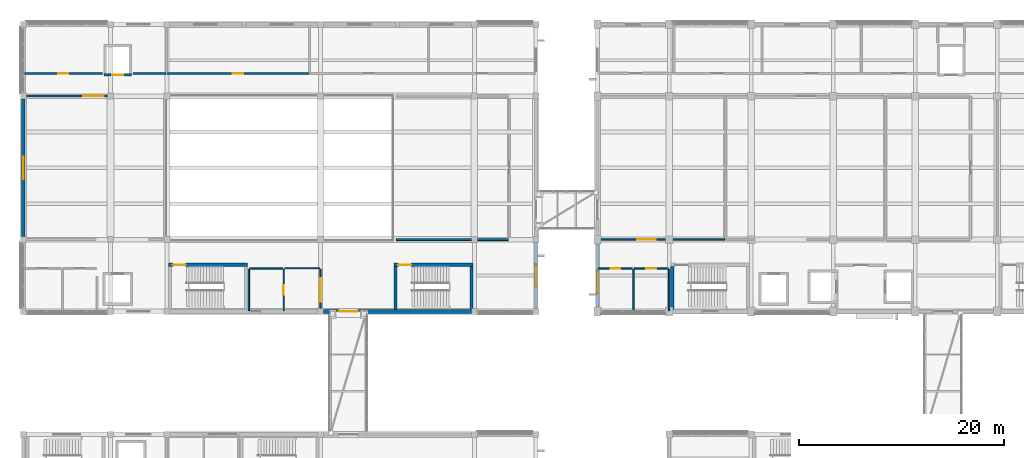
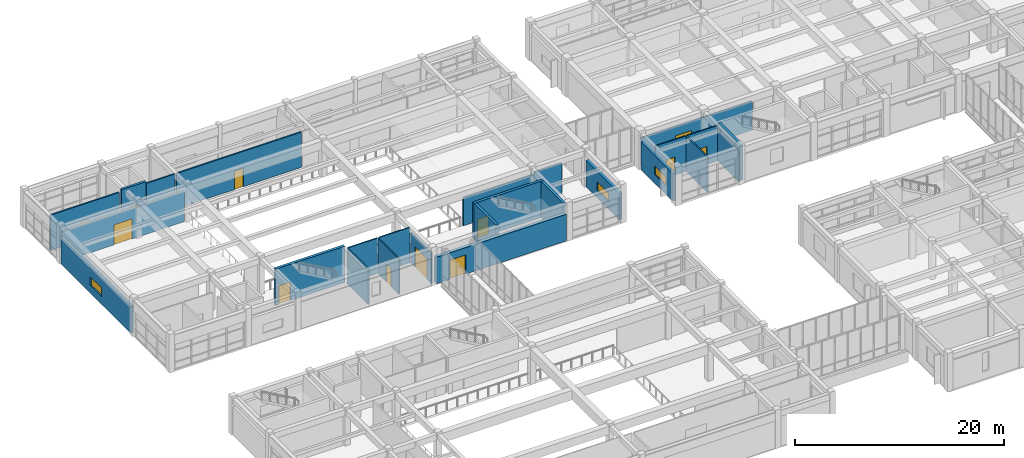
# One storey, part 48 of 72: 26 walls, 12 doors, 3 windows, 15 openings.
"""IFC4 building model written with IfcOpenShell, lengths in metres."""

import ifcopenshell
import ifcopenshell.guid

model = None  # the IFC model being written
_history = None  # IfcOwnerHistory: only IFC2X3 demands one
_inside = {}  # id of a spatial element -> (the spatial element, [elements in it])
_under = {}  # id of a project, library or spatial element -> (it, [spatial elements below it])
_declared = {}  # id of a project -> (the project, [libraries it declares])
_typed = {}  # id of a type object -> (the type object, [elements of that type])
_made_of = {}  # id of a material, layer set ... -> (it, [elements and type objects made of it])


def new_model(schema):
    """Start an empty IFC model of exactly this schema.

    Asked for "IFC4X3", IfcOpenShell would pick the latest addendum, in which some entities
    have other attributes; the version numbers below select the first issue.
    IFC2X3 requires an IfcOwnerHistory on every rooted entity: one is made here for all.
    """
    global model, _history
    if schema == "IFC4X3":
        model = ifcopenshell.file(schema_version=(4, 3, 0, 0))
    else:
        model = ifcopenshell.file(schema=schema)
    _inside.clear()
    _under.clear()
    _declared.clear()
    _typed.clear()
    _made_of.clear()
    _history = None
    if model.schema == "IFC2X3":
        org = make("IfcOrganization", Name="unknown")
        user = make(
            "IfcPersonAndOrganization",
            ThePerson=make("IfcPerson", FamilyName="unknown"),
            TheOrganization=org,
        )
        app = make(
            "IfcApplication",
            ApplicationDeveloper=org,
            Version="unknown",
            ApplicationFullName="unknown",
            ApplicationIdentifier="unknown",
        )
        _history = make(
            "IfcOwnerHistory",
            OwningUser=user,
            OwningApplication=app,
            ChangeAction="ADDED",
            CreationDate=0,
        )
    return model


def make(cls, **values):
    """One entity of the class cls with the attributes given. An attribute that is None is left unset."""
    return model.create_entity(
        cls, **{name: value for name, value in values.items() if value is not None}
    )


def rooted(cls, **values):
    """An entity with a GlobalId (a new one), such as an element, a storey or a relation."""
    return make(cls, GlobalId=ifcopenshell.guid.new(), OwnerHistory=_history, **values)


def si_unit(unit_type, name, prefix=None):
    """IfcSIUnit, for example si_unit("LENGTHUNIT", "METRE", prefix="MILLI")."""
    return make("IfcSIUnit", UnitType=unit_type, Prefix=prefix, Name=name)


def assignment(units):
    """IfcUnitAssignment: the units of a project."""
    return None if units is None else make("IfcUnitAssignment", Units=units)


def point(xyz):
    """IfcCartesianPoint."""
    return None if xyz is None else make("IfcCartesianPoint", Coordinates=xyz)


def direction(xyz):
    """IfcDirection."""
    return None if xyz is None else make("IfcDirection", DirectionRatios=xyz)


def frame(location, z_axis=None, x_axis=None):
    """IfcAxis2Placement3D, a coordinate frame: its origin and axes. An axis left out is left unset."""
    return make(
        "IfcAxis2Placement3D",
        Location=point(location),
        Axis=direction(z_axis),
        RefDirection=direction(x_axis),
    )


def frame_2d(location, x_axis=None):
    """IfcAxis2Placement2D, a coordinate frame in the plane: its origin and x axis."""
    return make(
        "IfcAxis2Placement2D", Location=point(location), RefDirection=direction(x_axis)
    )


def origin():
    """The frame at (0, 0, 0) with its axes left unset."""
    return frame((0.0, 0.0, 0.0))


def place(relative_to, where):
    """IfcLocalPlacement: puts the frame where relative to a parent placement (None: the world)."""
    return make(
        "IfcLocalPlacement", PlacementRelTo=relative_to, RelativePlacement=where
    )


def context(
    kind, dimensions, precision=None, world=None, true_north=None, identifier=None
):
    """IfcGeometricRepresentationContext, for example the 3D "Model" context."""
    return make(
        "IfcGeometricRepresentationContext",
        ContextIdentifier=identifier,
        ContextType=kind,
        CoordinateSpaceDimension=dimensions,
        Precision=precision,
        WorldCoordinateSystem=world,
        TrueNorth=true_north,
    )


def subcontext(parent, identifier, kind, view, scale=None):
    """IfcGeometricRepresentationSubContext, for example "Body" below "Model"."""
    return make(
        "IfcGeometricRepresentationSubContext",
        ContextIdentifier=identifier,
        ContextType=kind,
        ParentContext=parent,
        TargetScale=scale,
        TargetView=view,
    )


def project(units=None, contexts=None):
    """IfcProject with its units and contexts."""
    return rooted(
        "IfcProject",
        Name="project",
        RepresentationContexts=contexts,
        UnitsInContext=assignment(units),
    )


def spatial(cls, under=None, at=None, **own):
    """A site, building, storey or space (cls), placed at a placement, below another one or the project."""
    s = rooted(cls, ObjectPlacement=at, **own)
    if under is not None:
        _under.setdefault(under.id(), (under, []))[1].append(s)
    return s


def profile(cls, at=None, kind="AREA", **sizes):
    """A parametric profile (cls). Its sizes go by their IFC names, for example OverallWidth=200.0."""
    return make(cls, ProfileType=kind, Position=at, **sizes)


def rectangle(**sizes):
    """IfcRectangleProfileDef."""
    return profile("IfcRectangleProfileDef", **sizes)


def extrude(swept, where, along, depth):
    """IfcExtrudedAreaSolid: the profile swept, set in the frame where, extruded along a direction by depth."""
    return make(
        "IfcExtrudedAreaSolid",
        SweptArea=swept,
        Position=where,
        ExtrudedDirection=direction(along),
        Depth=depth,
    )


def shape(context_of_items, identifier, shape_type, items):
    """IfcShapeRepresentation: the items that make up one representation, for example the "Body"."""
    return make(
        "IfcShapeRepresentation",
        ContextOfItems=context_of_items,
        RepresentationIdentifier=identifier,
        RepresentationType=shape_type,
        Items=items,
    )


def material(Name=None, Category=None):
    """IfcMaterial."""
    return make("IfcMaterial", Name=Name, Category=Category)


def layer(
    of_material, thickness, ventilated=None, Name=None, Category=None, Priority=None
):
    """IfcMaterialLayer: one layer of a wall or slab, of a material (None: an air gap)."""
    return make(
        "IfcMaterialLayer",
        Material=of_material,
        LayerThickness=thickness,
        IsVentilated=ventilated,
        Name=Name,
        Category=Category,
        Priority=Priority,
    )


def layer_set(layers, Name=None):
    """IfcMaterialLayerSet."""
    return make("IfcMaterialLayerSet", MaterialLayers=layers, LayerSetName=Name)


def made_of(thing, what):
    """Note that an element or type object is made of a material, layer set ...; save() writes the relation."""
    if what is not None:
        _made_of.setdefault(what.id(), (what, []))[1].append(thing)
    return thing


def type_object(cls, material=None, **own):
    """A type object (cls), such as IfcWallType, which elements share."""
    return made_of(rooted(cls, **own), material)


def element(
    cls,
    number,
    at=None,
    inside=None,
    cuts=None,
    type_object=None,
    material=None,
    context=None,
    identifier="Body",
    shape_type=None,
    held_by="IfcProductDefinitionShape",
    body=None,
    shapes=None,
    **own,
):
    """One element of the class cls, such as IfcWall. Its Tag is "e" and its number.

    at: its placement. inside: the storey or other place that contains it. cuts: it is an
    opening in that element (IfcRelVoidsElement). A single representation is given by context,
    identifier, shape_type and body (its items); several are given by shapes. held_by: the class
    of the entity that holds the representations. save() writes the other relations.
    """
    e = rooted(cls, Tag="e%d" % number, ObjectPlacement=at, **own)
    if body is not None:
        shapes = [shape(context, identifier, shape_type, body)]
    if shapes is not None:
        e.Representation = make(held_by, Representations=shapes)
    if inside is not None:
        _inside.setdefault(inside.id(), (inside, []))[1].append(e)
    if cuts is not None:
        rooted(
            "IfcRelVoidsElement", RelatingBuildingElement=cuts, RelatedOpeningElement=e
        )
    if type_object is not None:
        _typed.setdefault(type_object.id(), (type_object, []))[1].append(e)
    return made_of(e, material)


def fill(opening, filler):
    """IfcRelFillsElement: the door or window that sits in an opening."""
    return rooted(
        "IfcRelFillsElement",
        RelatingOpeningElement=opening,
        RelatedBuildingElement=filler,
    )


def aggregate(whole, parts):
    """IfcRelAggregates: a whole, such as a stair, and the parts it consists of."""
    return rooted("IfcRelAggregates", RelatingObject=whole, RelatedObjects=parts)


def save(model, path):
    """Write the relations noted so far, then the file.

    IfcRelAggregates (storeys below a building ...), IfcRelContainedInSpatialStructure (elements
    in a storey), IfcRelDefinesByType, IfcRelAssociatesMaterial and IfcRelDeclares: one each for
    every whole, place, type object, material and project.
    """
    for whole, parts in _under.values():
        aggregate(whole, parts)
    for where, things in _inside.values():
        rooted(
            "IfcRelContainedInSpatialStructure",
            RelatedElements=things,
            RelatingStructure=where,
        )
    for kind, things in _typed.values():
        rooted("IfcRelDefinesByType", RelatedObjects=things, RelatingType=kind)
    for what, things in _made_of.values():
        rooted("IfcRelAssociatesMaterial", RelatedObjects=things, RelatingMaterial=what)
    for by, libraries in _declared.values():
        rooted("IfcRelDeclares", RelatingContext=by, RelatedDefinitions=libraries)
    model.write(path)


model = new_model("IFC4")

# Units and contexts
model_context = context("Model", 3, precision=1e-05, world=origin(), true_north=direction((0.0, 1.0)))
body_context = subcontext(model_context, "Body", "Model", "MODEL_VIEW")
ifc_project = project(units=[si_unit("LENGTHUNIT", "METRE"), si_unit("AREAUNIT", "SQUARE_METRE"), si_unit("VOLUMEUNIT", "CUBIC_METRE"), si_unit("PLANEANGLEUNIT", "RADIAN"), si_unit("MASSUNIT", "GRAM", prefix="KILO")], contexts=[model_context])

# Site, building, storey
site_placement = place(None, origin())
site = spatial("IfcSite", under=ifc_project, at=site_placement, CompositionType="ELEMENT")
building_placement = place(site_placement, origin())
building = spatial("IfcBuilding", under=site, at=building_placement, Name="Naurynzar Civic Courthouse", CompositionType="ELEMENT")
storey_placement = place(building_placement, frame((0.0, 0.0, 9.89990234375)))
storey = spatial("IfcBuildingStorey", under=building, at=storey_placement, Name="L03", CompositionType="ELEMENT", Elevation=9.89990234375)

# Wall, opening, door
ifc_material_1 = material(Name="Acoustic Double-Stud Gypsum Partition")
ifc_layer_1 = layer(ifc_material_1, 0.155029296875)
ifc_layer_set_1 = layer_set([ifc_layer_1], Name="WL-ACOUSTIC-155")
wall_type_1 = type_object("IfcWallType", Name="WL-ACOUSTIC-155", PredefinedType="PARTITIONING", material=ifc_layer_set_1)
wall_1_placement = place(storey_placement, frame((62.080078125, 51.0, 0.0), z_axis=(0.0, 0.0, 1.0), x_axis=(1.0, 0.0, 0.0)))
wall_1 = element("IfcWall", 1, at=wall_1_placement, inside=storey, type_object=wall_type_1, Name="V2 interior partition L03.353", PredefinedType="PARTITIONING", context=body_context, shape_type="SweptSolid", body=[
    extrude(rectangle(XDim=12.31982421875, YDim=0.155029296875, at=frame_2d((6.159912109375, 0.0))), origin(), (0.0, 0.0, 1.0), 3.400146484375),
])
opening_1_placement = place(wall_1_placement, frame((3.787109375, 0.0, 0.0)))
opening_1 = element("IfcOpeningElement", 2, at=opening_1_placement, cuts=wall_1, Name="Opening D-129", PredefinedType="OPENING", context=body_context, shape_type="SweptSolid", body=[
    extrude(rectangle(XDim=1.800048828125, YDim=2.300048828125, at=frame_2d((0.89990234375, 1.14990234375))), frame((0.0, 0.08740234375, 0.0), z_axis=(0.0, -1.0, 0.0), x_axis=(1.0, 0.0, 0.0)), (0.0, 0.0, 1.0), 0.175048828125),
])
ifc_material_2 = material(Name="Acoustic Oak Timber Grade A", Category="wood")
door_type_1 = type_object("IfcDoorType", Name="DR-COURT-DBL-1800x2300", OperationType="DOUBLE_DOOR_SINGLE_SWING", PredefinedType="DOOR", material=ifc_material_2)
door_1_placement = place(opening_1_placement, origin())
door_1 = element("IfcDoor", 3, at=door_1_placement, inside=storey, type_object=door_type_1, Name="Interior door D-129 (Civil Trial Courtroom 3A)", OperationType="DOUBLE_DOOR_SINGLE_SWING", OverallHeight=2.300048828125, OverallWidth=1.800048828125, PredefinedType="DOOR", context=body_context, shape_type="SweptSolid", body=[
    extrude(rectangle(XDim=1.800048828125, YDim=2.300048828125, at=frame_2d((0.89990234375, 1.14990234375))), frame((0.0, 0.02490234375, 0.0), z_axis=(0.0, -1.0, 0.0), x_axis=(1.0, 0.0, 0.0)), (0.0, 0.0, 1.0), 0.050048828125),
])
fill(opening_1, door_1)

ifc_material_3 = material(Name="Acoustic Double-Stud Gypsum Partition")
ifc_layer_2 = layer(ifc_material_3, 0.215087890625)
ifc_layer_set_2 = layer_set([ifc_layer_2], Name="WL-ACOUSTIC-215")
wall_type_2 = type_object("IfcWallType", Name="WL-ACOUSTIC-215", PredefinedType="PARTITIONING", material=ifc_layer_set_2)
wall_2_placement = place(storey_placement, frame((6.080078125, 65.0, 0.0), z_axis=(0.0, 0.0, 1.0), x_axis=(1.0, 0.0, 0.0)))
wall_2 = element("IfcWall", 4, at=wall_2_placement, inside=storey, type_object=wall_type_2, Name="V1 interior partition L03.362", PredefinedType="PARTITIONING", context=body_context, shape_type="SweptSolid", body=[
    extrude(rectangle(XDim=13.52001953125, YDim=0.215087890625, at=frame_2d((6.760009765625, 0.0))), origin(), (0.0, 0.0, 1.0), 3.530029296875),
])
opening_2_placement = place(wall_2_placement, frame((5.760009765625, 0.0, 0.0)))
opening_2 = element("IfcOpeningElement", 5, at=opening_2_placement, cuts=wall_2, Name="Opening D-033", PredefinedType="OPENING", context=body_context, shape_type="SweptSolid", body=[
    extrude(rectangle(XDim=2.0, YDim=2.35009765625, at=frame_2d((1.0, 1.175048828125))), frame((0.0, 0.117431640625, 0.0), z_axis=(0.0, -1.0, 0.0), x_axis=(1.0, 0.0, 0.0)), (0.0, 0.0, 1.0), 0.235107421875),
])
ifc_material_4 = material(Name="Acoustic Oak Timber Grade A", Category="wood")
door_type_2 = type_object("IfcDoorType", Name="DR-COURT-DBL-2000x2350", OperationType="DOUBLE_DOOR_SINGLE_SWING", PredefinedType="DOOR", material=ifc_material_4)
door_2_placement = place(opening_2_placement, origin())
door_2 = element("IfcDoor", 6, at=door_2_placement, inside=storey, type_object=door_type_2, Name="Interior door D-033 (Ceremonial Court Public Gallery)", OperationType="DOUBLE_DOOR_SINGLE_SWING", OverallHeight=2.35009765625, OverallWidth=2.0, PredefinedType="DOOR", context=body_context, shape_type="SweptSolid", body=[
    extrude(rectangle(XDim=2.0, YDim=2.35009765625, at=frame_2d((1.0, 1.175048828125))), frame((0.0, 0.02490234375, 0.0), z_axis=(0.0, -1.0, 0.0), x_axis=(1.0, 0.0, 0.0)), (0.0, 0.0, 1.0), 0.050048828125),
])
fill(opening_2, door_2)

ifc_material_5 = material(Name="Concrete C40/50", Category="concrete")
ifc_layer_3 = layer(ifc_material_5, 0.300048828125)
ifc_layer_set_3 = layer_set([ifc_layer_3], Name="WL-CORE-300")
wall_type_3 = type_object("IfcWallType", Name="WL-CORE-300", PredefinedType="SHEAR", material=ifc_layer_set_3)
wall_3_placement = place(storey_placement, frame((27.85009765625, 48.550048828125, 0.0), z_axis=(0.0, 0.0, 1.0), x_axis=(-1.0, 0.0, 0.0)))
wall_3 = element("IfcWall", 7, at=wall_3_placement, inside=storey, type_object=wall_type_3, Name="Stair ST-V1A enclosure wall north L03", PredefinedType="SHEAR", context=body_context, shape_type="SweptSolid", body=[
    extrude(rectangle(XDim=7.7001953125, YDim=0.300048828125, at=frame_2d((3.85009765625, 0.0))), origin(), (0.0, 0.0, 1.0), 4.239990234375),
])
opening_3_placement = place(wall_3_placement, frame((6.02490234375, 0.0, 0.0)))
opening_3 = element("IfcOpeningElement", 8, at=opening_3_placement, cuts=wall_3, Name="Opening SD-004", PredefinedType="OPENING", context=body_context, shape_type="SweptSolid", body=[
    extrude(rectangle(XDim=1.25, YDim=2.14990234375, at=frame_2d((0.625, 1.074951171875))), frame((0.0, 0.159912109375, 0.0), z_axis=(0.0, -1.0, 0.0), x_axis=(1.0, 0.0, 0.0)), (0.0, 0.0, 1.0), 0.320068359375),
])
ifc_material_6 = material(Name="Powder-Coated Galvanised Steel", Category="steel")
door_type_3 = type_object("IfcDoorType", Name="DR-STAIR-1250x2150", OperationType="NOTDEFINED", PredefinedType="DOOR", material=ifc_material_6)
door_3_placement = place(opening_3_placement, origin())
door_3 = element("IfcDoor", 9, at=door_3_placement, inside=storey, type_object=door_type_3, Name="Stair ST-V1A fire door L03", OperationType="SINGLE_SWING_RIGHT", OverallHeight=2.14990234375, OverallWidth=1.25, PredefinedType="DOOR", context=body_context, shape_type="SweptSolid", body=[
    extrude(rectangle(XDim=1.25, YDim=2.14990234375, at=frame_2d((0.625, 1.074951171875))), frame((0.0, 0.02490234375, 0.0), z_axis=(0.0, -1.0, 0.0), x_axis=(1.0, 0.0, 0.0)), (0.0, 0.0, 1.0), 0.050048828125),
])
fill(opening_3, door_3)

wall_4_placement = place(storey_placement, frame((49.85009765625, 48.550048828125, 0.0), z_axis=(0.0, 0.0, 1.0), x_axis=(-1.0, 0.0, 0.0)))
wall_4 = element("IfcWall", 10, at=wall_4_placement, inside=storey, type_object=wall_type_3, Name="Stair ST-V1B enclosure wall north L03", PredefinedType="SHEAR", context=body_context, shape_type="SweptSolid", body=[
    extrude(rectangle(XDim=7.7001953125, YDim=0.300048828125, at=frame_2d((3.85009765625, 0.0))), origin(), (0.0, 0.0, 1.0), 4.239990234375),
])
opening_4_placement = place(wall_4_placement, frame((6.02490234375, 0.0, 0.0)))
opening_4 = element("IfcOpeningElement", 11, at=opening_4_placement, cuts=wall_4, Name="Opening SD-009", PredefinedType="OPENING", context=body_context, shape_type="SweptSolid", body=[
    extrude(rectangle(XDim=1.25, YDim=2.14990234375, at=frame_2d((0.625, 1.074951171875))), frame((0.0, 0.159912109375, 0.0), z_axis=(0.0, -1.0, 0.0), x_axis=(1.0, 0.0, 0.0)), (0.0, 0.0, 1.0), 0.320068359375),
])
door_4_placement = place(opening_4_placement, origin())
door_4 = element("IfcDoor", 12, at=door_4_placement, inside=storey, type_object=door_type_3, Name="Stair ST-V1B fire door L03", OperationType="SINGLE_SWING_LEFT", OverallHeight=2.14990234375, OverallWidth=1.25, PredefinedType="DOOR", context=body_context, shape_type="SweptSolid", body=[
    extrude(rectangle(XDim=1.25, YDim=2.14990234375, at=frame_2d((0.625, 1.074951171875))), frame((0.0, 0.02490234375, 0.0), z_axis=(0.0, -1.0, 0.0), x_axis=(1.0, 0.0, 0.0)), (0.0, 0.0, 1.0), 0.050048828125),
])
fill(opening_4, door_4)

# Walls
for number, where, z_axis, x_axis, name in (
    (13, (42.300048828125, 48.39501953125, 0.0), (0.0, 0.0, 1.0), (0.0, -1.0, 0.0), "Stair ST-V1B enclosure wall west L03"),
    (14, (49.699951171875, 44.195068359375, 0.0), (0.0, 0.0, 1.0), (0.0, 1.0, 0.0), "Stair ST-V1B enclosure wall east L03"),
):
    element("IfcWall", number, at=place(storey_placement, frame(where, z_axis=z_axis, x_axis=x_axis)), inside=storey, type_object=wall_type_3, Name=name, PredefinedType="SHEAR", context=body_context, shape_type="SweptSolid", body=[
        extrude(rectangle(XDim=4.199951171875, YDim=0.300048828125, at=frame_2d((2.10009765625, 0.0))), origin(), (0.0, 0.0, 1.0), 4.239990234375),
    ])
wall_5_placement = place(storey_placement, frame((69.300048828125, 48.39501953125, 0.0), z_axis=(0.0, 0.0, 1.0), x_axis=(0.0, -1.0, 0.0)))
element("IfcWall", 15, at=wall_5_placement, inside=storey, type_object=wall_type_3, Name="Stair ST-V2A enclosure wall west L03", PredefinedType="SHEAR", context=body_context, shape_type="SweptSolid", body=[
    extrude(rectangle(XDim=4.199951171875, YDim=0.300048828125, at=frame_2d((2.10009765625, 0.0))), origin(), (0.0, 0.0, 1.0), 4.2001953125),
])

# Wall, opening, window
ifc_material_7 = material(Name="Precast concrete C40/50", Category="concrete")
ifc_layer_4 = layer(ifc_material_7, 0.300048828125)
ifc_layer_set_4 = layer_set([ifc_layer_4], Name="WL-EXT-300")
wall_type_4 = type_object("IfcWallType", Name="WL-EXT-300", PredefinedType="SOLIDWALL", material=ifc_layer_set_4)
wall_6_placement = place(storey_placement, frame((62.0, 44.425048828125, 0.0), z_axis=(0.0, 0.0, 1.0), x_axis=(0.0, 1.0, 0.0)))
wall_6 = element("IfcWall", 16, at=wall_6_placement, inside=storey, type_object=wall_type_4, Name="V2 exterior wall west L03.1.1", PredefinedType="SOLIDWALL", context=body_context, shape_type="SweptSolid", body=[
    extrude(rectangle(XDim=6.14990234375, YDim=0.300048828125, at=frame_2d((3.074951171875, 0.0))), origin(), (0.0, 0.0, 1.0), 3.22998046875),
])
opening_5_placement = place(wall_6_placement, frame((1.35498046875, 0.0, 1.0)))
opening_5 = element("IfcOpeningElement", 17, at=opening_5_placement, cuts=wall_6, Name="Opening WN-18", PredefinedType="OPENING", context=body_context, shape_type="SweptSolid", body=[
    extrude(rectangle(XDim=2.199951171875, YDim=1.0, at=frame_2d((1.10009765625, 0.5))), frame((0.0, 0.159912109375, 0.0), z_axis=(0.0, -1.0, 0.0), x_axis=(1.0, 0.0, 0.0)), (0.0, 0.0, 1.0), 0.320068359375),
])
ifc_material_8 = material(Name="Tempered Laminated Low-E Glass", Category="glass")
window_type = type_object("IfcWindowType", Name="WIN-CLER-2200x1000", PartitioningType="DOUBLE_PANEL_VERTICAL", PredefinedType="WINDOW", material=ifc_material_8)
window_1_placement = place(opening_5_placement, origin())
window_1 = element("IfcWindow", 18, at=window_1_placement, inside=storey, type_object=window_type, Name="V2 window 62 L03", OverallHeight=1.0, OverallWidth=2.199951171875, PartitioningType="SINGLE_PANEL", PredefinedType="WINDOW", context=body_context, shape_type="SweptSolid", body=[
    extrude(rectangle(XDim=2.199951171875, YDim=1.0, at=frame_2d((1.10009765625, 0.5))), frame((0.0, 0.030029296875, 0.0), z_axis=(0.0, -1.0, 0.0), x_axis=(1.0, 0.0, 0.0)), (0.0, 0.0, 1.0), 0.06005859375),
])
fill(opening_5, window_1)

ifc_material_9 = material(Name="Precast concrete C40/50", Category="concrete")
ifc_layer_5 = layer(ifc_material_9, 0.320068359375)
ifc_layer_set_5 = layer_set([ifc_layer_5], Name="WL-EXT-320")
wall_type_5 = type_object("IfcWallType", Name="WL-EXT-320", PredefinedType="SOLIDWALL", material=ifc_layer_set_5)
wall_7_placement = place(storey_placement, frame((6.0, 51.300048828125, 0.0), z_axis=(0.0, 0.0, 1.0), x_axis=(0.0, 1.0, 0.0)))
wall_7 = element("IfcWall", 19, at=wall_7_placement, inside=storey, type_object=wall_type_5, Name="V1 exterior wall west L03.2.1", PredefinedType="SOLIDWALL", context=body_context, shape_type="SweptSolid", body=[
    extrude(rectangle(XDim=13.39990234375, YDim=0.320068359375, at=frame_2d((6.699951171875, 0.0))), origin(), (0.0, 0.0, 1.0), 3.110107421875),
])
opening_6_placement = place(wall_7_placement, frame((5.60009765625, 0.0, 0.89990234375)))
opening_6 = element("IfcOpeningElement", 20, at=opening_6_placement, cuts=wall_7, Name="Opening WN-18", PredefinedType="OPENING", context=body_context, shape_type="SweptSolid", body=[
    extrude(rectangle(XDim=2.199951171875, YDim=1.0, at=frame_2d((1.10009765625, 0.5))), frame((0.0, 0.169921875, 0.0), z_axis=(0.0, -1.0, 0.0), x_axis=(1.0, 0.0, 0.0)), (0.0, 0.0, 1.0), 0.340087890625),
])
window_2_placement = place(opening_6_placement, origin())
window_2 = element("IfcWindow", 21, at=window_2_placement, inside=storey, type_object=window_type, Name="V1 window 21 L03", OverallHeight=1.0, OverallWidth=2.199951171875, PartitioningType="SINGLE_PANEL", PredefinedType="WINDOW", context=body_context, shape_type="SweptSolid", body=[
    extrude(rectangle(XDim=2.199951171875, YDim=1.0, at=frame_2d((1.10009765625, 0.5))), frame((0.0, 0.030029296875, 0.0), z_axis=(0.0, -1.0, 0.0), x_axis=(1.0, 0.0, 0.0)), (0.0, 0.0, 1.0), 0.06005859375),
])
fill(opening_6, window_2)

wall_8_placement = place(storey_placement, frame((56.0, 50.699951171875, 0.0), z_axis=(0.0, 0.0, 1.0), x_axis=(0.0, -1.0, 0.0)))
wall_8 = element("IfcWall", 22, at=wall_8_placement, inside=storey, type_object=wall_type_5, Name="V1 exterior wall east L03.3.1", PredefinedType="SOLIDWALL", context=body_context, shape_type="SweptSolid", body=[
    extrude(rectangle(XDim=6.39990234375, YDim=0.320068359375, at=frame_2d((3.199951171875, 0.0))), origin(), (0.0, 0.0, 1.0), 3.110107421875),
])
opening_7_placement = place(wall_8_placement, frame((2.10009765625, 0.0, 0.89990234375)))
opening_7 = element("IfcOpeningElement", 23, at=opening_7_placement, cuts=wall_8, Name="Opening WN-18", PredefinedType="OPENING", context=body_context, shape_type="SweptSolid", body=[
    extrude(rectangle(XDim=2.199951171875, YDim=1.0, at=frame_2d((1.10009765625, 0.5))), frame((0.0, 0.169921875, 0.0), z_axis=(0.0, -1.0, 0.0), x_axis=(1.0, 0.0, 0.0)), (0.0, 0.0, 1.0), 0.340087890625),
])
window_3_placement = place(opening_7_placement, origin())
window_3 = element("IfcWindow", 24, at=window_3_placement, inside=storey, type_object=window_type, Name="V1 window 28 L03", OverallHeight=1.0, OverallWidth=2.199951171875, PartitioningType="SINGLE_PANEL", PredefinedType="WINDOW", context=body_context, shape_type="SweptSolid", body=[
    extrude(rectangle(XDim=2.199951171875, YDim=1.0, at=frame_2d((1.10009765625, 0.5))), frame((0.0, 0.030029296875, 0.0), z_axis=(0.0, -1.0, 0.0), x_axis=(1.0, 0.0, 0.0)), (0.0, 0.0, 1.0), 0.06005859375),
])
fill(opening_7, window_3)

# Wall, opening, door
ifc_material_10 = material(Name="Insulated Metal-Stud Gypsum Partition")
ifc_layer_6 = layer(ifc_material_10, 0.159912109375)
ifc_layer_set_6 = layer_set([ifc_layer_6], Name="WL-PART-CHAMB-160")
wall_type_6 = type_object("IfcWallType", Name="WL-PART-CHAMB-160", PredefinedType="PARTITIONING", material=ifc_layer_set_6)
wall_9_placement = place(storey_placement, frame((6.080078125, 67.199951171875, 0.0), z_axis=(0.0, 0.0, 1.0), x_axis=(1.0, 0.0, 0.0)))
wall_9 = element("IfcWall", 25, at=wall_9_placement, inside=storey, type_object=wall_type_6, Name="V1 interior partition L03.372", PredefinedType="PARTITIONING", context=body_context, shape_type="SweptSolid", body=[
    extrude(rectangle(XDim=7.619873046875, YDim=0.159912109375, at=frame_2d((3.81005859375, 0.0))), origin(), (0.0, 0.0, 1.0), 4.14013671875),
])
opening_8_placement = place(wall_9_placement, frame((3.320068359375, 0.0, 0.0)))
opening_8 = element("IfcOpeningElement", 26, at=opening_8_placement, cuts=wall_9, Name="Opening D-035", PredefinedType="OPENING", context=body_context, shape_type="SweptSolid", body=[
    extrude(rectangle(XDim=0.97998046875, YDim=2.10009765625, at=frame_2d((0.489990234375, 1.050048828125))), frame((0.0, 0.08984375, 0.0), z_axis=(0.0, -1.0, 0.0), x_axis=(1.0, 0.0, 0.0)), (0.0, 0.0, 1.0), 0.179931640625),
])
ifc_material_11 = material(Name="Acoustic Oak Timber Grade A", Category="wood")
door_type_4 = type_object("IfcDoorType", Name="DR-SUITE-980x2100", OperationType="NOTDEFINED", PredefinedType="DOOR", material=ifc_material_11)
door_5_placement = place(opening_8_placement, origin())
door_5 = element("IfcDoor", 27, at=door_5_placement, inside=storey, type_object=door_type_4, Name="Interior door D-035 (Senior Judges' Chambers)", OperationType="SINGLE_SWING_LEFT", OverallHeight=2.10009765625, OverallWidth=0.97998046875, PredefinedType="DOOR", context=body_context, shape_type="SweptSolid", body=[
    extrude(rectangle(XDim=0.97998046875, YDim=2.10009765625, at=frame_2d((0.489990234375, 1.050048828125))), frame((0.0, 0.02490234375, 0.0), z_axis=(0.0, -1.0, 0.0), x_axis=(1.0, 0.0, 0.0)), (0.0, 0.0, 1.0), 0.050048828125),
])
fill(opening_8, door_5)

# Wall
wall_10_placement = place(storey_placement, frame((16.699951171875, 67.199951171875, 0.0), z_axis=(0.0, 0.0, 1.0), x_axis=(1.0, 0.0, 0.0)))
element("IfcWall", 28, at=wall_10_placement, inside=storey, type_object=wall_type_6, Name="V1 interior partition L03.373", PredefinedType="PARTITIONING", context=body_context, shape_type="SweptSolid", body=[
    extrude(rectangle(XDim=3.170166015625, YDim=0.159912109375, at=frame_2d((1.5849609375, 0.0))), origin(), (0.0, 0.0, 1.0), 4.14013671875),
])

# Wall, opening, door
wall_11_placement = place(storey_placement, frame((20.030029296875, 67.199951171875, 0.0), z_axis=(0.0, 0.0, 1.0), x_axis=(1.0, 0.0, 0.0)))
wall_11 = element("IfcWall", 29, at=wall_11_placement, inside=storey, type_object=wall_type_6, Name="V1 interior partition L03.374", PredefinedType="PARTITIONING", context=body_context, shape_type="SweptSolid", body=[
    extrude(rectangle(XDim=13.800048828125, YDim=0.159912109375, at=frame_2d((6.89990234375, 0.0))), origin(), (0.0, 0.0, 1.0), 4.14013671875),
])
opening_9_placement = place(wall_11_placement, frame((6.389892578125, 0.0, 0.0)))
opening_9 = element("IfcOpeningElement", 30, at=opening_9_placement, cuts=wall_11, Name="Opening D-036", PredefinedType="OPENING", context=body_context, shape_type="SweptSolid", body=[
    extrude(rectangle(XDim=1.02001953125, YDim=2.14990234375, at=frame_2d((0.510009765625, 1.074951171875))), frame((0.0, 0.08984375, 0.0), z_axis=(0.0, -1.0, 0.0), x_axis=(1.0, 0.0, 0.0)), (0.0, 0.0, 1.0), 0.179931640625),
])
ifc_material_12 = material(Name="Acoustic Oak Timber Grade A", Category="wood")
door_type_5 = type_object("IfcDoorType", Name="DR-SUITE-1020x2150", OperationType="NOTDEFINED", PredefinedType="DOOR", material=ifc_material_12)
door_6_placement = place(opening_9_placement, origin())
door_6 = element("IfcDoor", 31, at=door_6_placement, inside=storey, type_object=door_type_5, Name="Interior door D-036 (Judicial Conference Room)", OperationType="SINGLE_SWING_RIGHT", OverallHeight=2.14990234375, OverallWidth=1.02001953125, PredefinedType="DOOR", context=body_context, shape_type="SweptSolid", body=[
    extrude(rectangle(XDim=1.02001953125, YDim=2.14990234375, at=frame_2d((0.510009765625, 1.074951171875))), frame((0.0, 0.02490234375, 0.0), z_axis=(0.0, -1.0, 0.0), x_axis=(1.0, 0.0, 0.0)), (0.0, 0.0, 1.0), 0.050048828125),
])
fill(opening_9, door_6)

# Walls
ifc_material_13 = material(Name="Acoustic Double-Stud Gypsum Partition")
ifc_layer_7 = layer(ifc_material_13, 0.179931640625)
ifc_layer_set_7 = layer_set([ifc_layer_7], Name="WL-PART-JURY-180")
wall_type_7 = type_object("IfcWallType", Name="WL-PART-JURY-180", PredefinedType="PARTITIONING", material=ifc_layer_set_7)
wall_12_placement = place(storey_placement, frame((42.39990234375, 51.0, 0.0), z_axis=(0.0, 0.0, 1.0), x_axis=(1.0, 0.0, 0.0)))
element("IfcWall", 32, at=wall_12_placement, inside=storey, type_object=wall_type_7, Name="V1 interior partition L03.352a", PredefinedType="PARTITIONING", context=body_context, shape_type="SweptSolid", body=[
    extrude(rectangle(XDim=7.900146484375, YDim=0.179931640625, at=frame_2d((3.9501953125, 0.0))), origin(), (0.0, 0.0, 1.0), 3.280029296875),
])
wall_13_placement = place(storey_placement, frame((50.300048828125, 51.0, 0.0), z_axis=(0.0, 0.0, 1.0), x_axis=(1.0, 0.0, 0.0)))
element("IfcWall", 33, at=wall_13_placement, inside=storey, type_object=wall_type_7, Name="V1 interior partition L03.352ab", PredefinedType="PARTITIONING", context=body_context, shape_type="SweptSolid", body=[
    extrude(rectangle(XDim=3.02001953125, YDim=0.179931640625, at=frame_2d((1.510009765625, 0.0))), origin(), (0.0, 0.0, 1.0), 3.530029296875),
])
ifc_material_14 = material(Name="Metal-Stud Gypsum Partition")
ifc_layer_8 = layer(ifc_material_14, 0.125)
ifc_layer_set_8 = layer_set([ifc_layer_8], Name="WL-PART-STD-125")
wall_type_8 = type_object("IfcWallType", Name="WL-PART-STD-125", PredefinedType="PARTITIONING", material=ifc_layer_set_8)
wall_14_placement = place(storey_placement, frame((31.47998046875, 48.199951171875, 0.0), z_axis=(0.0, 0.0, 1.0), x_axis=(1.0, 0.0, 0.0)))
element("IfcWall", 34, at=wall_14_placement, inside=storey, type_object=wall_type_8, Name="V1 interior partition L03.345", PredefinedType="PARTITIONING", context=body_context, shape_type="SweptSolid", body=[
    extrude(rectangle(XDim=3.43994140625, YDim=0.125, at=frame_2d((1.719970703125, 0.0))), origin(), (0.0, 0.0, 1.0), 4.14013671875),
])

# Wall, opening, door
wall_15_placement = place(storey_placement, frame((35.0, 44.080078125, 0.0), z_axis=(0.0, 0.0, 1.0), x_axis=(0.0, 1.0, 0.0)))
wall_15 = element("IfcWall", 35, at=wall_15_placement, inside=storey, type_object=wall_type_8, Name="V1 interior partition L03.394", PredefinedType="PARTITIONING", context=body_context, shape_type="SweptSolid", body=[
    extrude(rectangle(XDim=4.0400390625, YDim=0.125, at=frame_2d((2.02001953125, 0.0))), origin(), (0.0, 0.0, 1.0), 3.580078125),
])
opening_10_placement = place(wall_15_placement, frame((0.8701171875, 0.0, 0.0)))
opening_10 = element("IfcOpeningElement", 36, at=opening_10_placement, cuts=wall_15, Name="Opening D-032", PredefinedType="OPENING", context=body_context, shape_type="SweptSolid", body=[
    extrude(rectangle(XDim=2.300048828125, YDim=2.39990234375, at=frame_2d((1.14990234375, 1.199951171875))), frame((0.0, 0.072509765625, 0.0), z_axis=(0.0, -1.0, 0.0), x_axis=(1.0, 0.0, 0.0)), (0.0, 0.0, 1.0), 0.14501953125),
])
ifc_material_15 = material(Name="Acoustic Oak Timber Grade A", Category="wood")
door_type_6 = type_object("IfcDoorType", Name="DR-SUITE-2300x2400", OperationType="DOUBLE_DOOR_SINGLE_SWING", PredefinedType="DOOR", material=ifc_material_15)
door_7_placement = place(opening_10_placement, origin())
door_7 = element("IfcDoor", 37, at=door_7_placement, inside=storey, type_object=door_type_6, Name="Interior door D-032 (Ceremonial Waiting Lounge)", OperationType="DOUBLE_DOOR_SINGLE_SWING", OverallHeight=2.39990234375, OverallWidth=2.300048828125, PredefinedType="DOOR", context=body_context, shape_type="SweptSolid", body=[
    extrude(rectangle(XDim=2.300048828125, YDim=2.39990234375, at=frame_2d((1.14990234375, 1.199951171875))), frame((0.0, 0.02490234375, 0.0), z_axis=(0.0, -1.0, 0.0), x_axis=(1.0, 0.0, 0.0)), (0.0, 0.0, 1.0), 0.050048828125),
])
fill(opening_10, door_7)

# Wall
ifc_material_16 = material(Name="Moisture-Resistant Plumbing Partition")
ifc_layer_9 = layer(ifc_material_16, 0.139892578125)
ifc_layer_set_9 = layer_set([ifc_layer_9], Name="WL-PART-WC-140")
wall_type_9 = type_object("IfcWallType", Name="WL-PART-WC-140", PredefinedType="PLUMBINGWALL", material=ifc_layer_set_9)
wall_16_placement = place(storey_placement, frame((28.080078125, 48.199951171875, 0.0), z_axis=(0.0, 0.0, 1.0), x_axis=(1.0, 0.0, 0.0)))
element("IfcWall", 38, at=wall_16_placement, inside=storey, type_object=wall_type_9, Name="V1 interior partition L03.344", PredefinedType="PLUMBINGWALL", context=body_context, shape_type="SweptSolid", body=[
    extrude(rectangle(XDim=3.239990234375, YDim=0.139892578125, at=frame_2d((1.6201171875, 0.0))), origin(), (0.0, 0.0, 1.0), 4.14013671875),
])

# Wall, opening, door
wall_17_placement = place(storey_placement, frame((62.080078125, 48.199951171875, 0.0), z_axis=(0.0, 0.0, 1.0), x_axis=(1.0, 0.0, 0.0)))
wall_17 = element("IfcWall", 39, at=wall_17_placement, inside=storey, type_object=wall_type_9, Name="V2 interior partition L03.346", PredefinedType="PLUMBINGWALL", context=body_context, shape_type="SweptSolid", body=[
    extrude(rectangle(XDim=3.33984375, YDim=0.139892578125, at=frame_2d((1.669921875, 0.0))), origin(), (0.0, 0.0, 1.0), 4.14013671875),
])
opening_11_placement = place(wall_17_placement, frame((1.2099609375, 0.0, 0.0)))
opening_11 = element("IfcOpeningElement", 40, at=opening_11_placement, cuts=wall_17, Name="Opening D-126", PredefinedType="OPENING", context=body_context, shape_type="SweptSolid", body=[
    extrude(rectangle(XDim=0.919921875, YDim=2.10009765625, at=frame_2d((0.4599609375, 1.050048828125))), frame((0.0, 0.079833984375, 0.0), z_axis=(0.0, -1.0, 0.0), x_axis=(1.0, 0.0, 0.0)), (0.0, 0.0, 1.0), 0.159912109375),
])
ifc_material_17 = material(Name="Acoustic Oak Timber Grade A", Category="wood")
door_type_7 = type_object("IfcDoorType", Name="DR-WC-STD-920x2100", OperationType="NOTDEFINED", PredefinedType="DOOR", material=ifc_material_17)
door_8_placement = place(opening_11_placement, origin())
door_8 = element("IfcDoor", 41, at=door_8_placement, inside=storey, type_object=door_type_7, Name="Interior door D-126 (Public WC V2)", OperationType="SINGLE_SWING_RIGHT", OverallHeight=2.10009765625, OverallWidth=0.919921875, PredefinedType="DOOR", context=body_context, shape_type="SweptSolid", body=[
    extrude(rectangle(XDim=0.919921875, YDim=2.10009765625, at=frame_2d((0.4599609375, 1.050048828125))), frame((0.0, 0.02490234375, 0.0), z_axis=(0.0, -1.0, 0.0), x_axis=(1.0, 0.0, 0.0)), (0.0, 0.0, 1.0), 0.050048828125),
])
fill(opening_11, door_8)

wall_18_placement = place(storey_placement, frame((65.580078125, 48.199951171875, 0.0), z_axis=(0.0, 0.0, 1.0), x_axis=(1.0, 0.0, 0.0)))
wall_18 = element("IfcWall", 42, at=wall_18_placement, inside=storey, type_object=wall_type_9, Name="V2 interior partition L03.347", PredefinedType="PLUMBINGWALL", context=body_context, shape_type="SweptSolid", body=[
    extrude(rectangle(XDim=3.33984375, YDim=0.139892578125, at=frame_2d((1.669921875, 0.0))), origin(), (0.0, 0.0, 1.0), 4.14013671875),
])
opening_12_placement = place(wall_18_placement, frame((1.18994140625, 0.0, 0.0)))
opening_12 = element("IfcOpeningElement", 43, at=opening_12_placement, cuts=wall_18, Name="Opening D-127", PredefinedType="OPENING", context=body_context, shape_type="SweptSolid", body=[
    extrude(rectangle(XDim=0.9599609375, YDim=2.10009765625, at=frame_2d((0.47998046875, 1.050048828125))), frame((0.0, 0.079833984375, 0.0), z_axis=(0.0, -1.0, 0.0), x_axis=(1.0, 0.0, 0.0)), (0.0, 0.0, 1.0), 0.159912109375),
])
ifc_material_18 = material(Name="Acoustic Oak Timber Grade A", Category="wood")
door_type_8 = type_object("IfcDoorType", Name="DR-WC-ACC-960x2100", OperationType="NOTDEFINED", PredefinedType="DOOR", material=ifc_material_18)
door_9_placement = place(opening_12_placement, origin())
door_9 = element("IfcDoor", 44, at=door_9_placement, inside=storey, type_object=door_type_8, Name="Interior door D-127 (Accessible WC V2)", OperationType="SINGLE_SWING_LEFT", OverallHeight=2.10009765625, OverallWidth=0.9599609375, PredefinedType="DOOR", context=body_context, shape_type="SweptSolid", body=[
    extrude(rectangle(XDim=0.9599609375, YDim=2.10009765625, at=frame_2d((0.47998046875, 1.050048828125))), frame((0.0, 0.02490234375, 0.0), z_axis=(0.0, -1.0, 0.0), x_axis=(1.0, 0.0, 0.0)), (0.0, 0.0, 1.0), 0.050048828125),
])
fill(opening_12, door_9)

# Wall
wall_19_placement = place(storey_placement, frame((28.0, 44.080078125, 0.0), z_axis=(0.0, 0.0, 1.0), x_axis=(0.0, 1.0, 0.0)))
element("IfcWall", 45, at=wall_19_placement, inside=storey, type_object=wall_type_9, Name="V1 interior partition L03.391", PredefinedType="PLUMBINGWALL", context=body_context, shape_type="SweptSolid", body=[
    extrude(rectangle(XDim=4.0400390625, YDim=0.139892578125, at=frame_2d((2.02001953125, 0.0))), origin(), (0.0, 0.0, 1.0), 4.14013671875),
])

# Wall, opening, door
wall_20_placement = place(storey_placement, frame((31.39990234375, 44.080078125, 0.0), z_axis=(0.0, 0.0, 1.0), x_axis=(0.0, 1.0, 0.0)))
wall_20 = element("IfcWall", 46, at=wall_20_placement, inside=storey, type_object=wall_type_9, Name="V1 interior partition L03.392", PredefinedType="PLUMBINGWALL", context=body_context, shape_type="SweptSolid", body=[
    extrude(rectangle(XDim=4.0400390625, YDim=0.139892578125, at=frame_2d((2.02001953125, 0.0))), origin(), (0.0, 0.0, 1.0), 4.14013671875),
])
opening_13_placement = place(wall_20_placement, frame((1.56005859375, 0.0, 0.0)))
opening_13 = element("IfcOpeningElement", 47, at=opening_13_placement, cuts=wall_20, Name="Opening D-031", PredefinedType="OPENING", context=body_context, shape_type="SweptSolid", body=[
    extrude(rectangle(XDim=0.919921875, YDim=2.10009765625, at=frame_2d((0.4599609375, 1.050048828125))), frame((0.0, 0.079833984375, 0.0), z_axis=(0.0, -1.0, 0.0), x_axis=(1.0, 0.0, 0.0)), (0.0, 0.0, 1.0), 0.159912109375),
])
door_10_placement = place(opening_13_placement, origin())
door_10 = element("IfcDoor", 48, at=door_10_placement, inside=storey, type_object=door_type_7, Name="Interior door D-031 (Staff WC V1)", OperationType="SINGLE_SWING_LEFT", OverallHeight=2.10009765625, OverallWidth=0.919921875, PredefinedType="DOOR", context=body_context, shape_type="SweptSolid", body=[
    extrude(rectangle(XDim=0.919921875, YDim=2.10009765625, at=frame_2d((0.4599609375, 1.050048828125))), frame((0.0, 0.02490234375, 0.0), z_axis=(0.0, -1.0, 0.0), x_axis=(1.0, 0.0, 0.0)), (0.0, 0.0, 1.0), 0.050048828125),
])
fill(opening_13, door_10)

# Walls
wall_21_placement = place(storey_placement, frame((65.5, 44.080078125, 0.0), z_axis=(0.0, 0.0, 1.0), x_axis=(0.0, 1.0, 0.0)))
element("IfcWall", 49, at=wall_21_placement, inside=storey, type_object=wall_type_9, Name="V2 interior partition L03.399", PredefinedType="PLUMBINGWALL", context=body_context, shape_type="SweptSolid", body=[
    extrude(rectangle(XDim=4.0400390625, YDim=0.139892578125, at=frame_2d((2.02001953125, 0.0))), origin(), (0.0, 0.0, 1.0), 4.14013671875),
])
wall_22_placement = place(storey_placement, frame((69.0, 44.080078125, 0.0), z_axis=(0.0, 0.0, 1.0), x_axis=(0.0, 1.0, 0.0)))
element("IfcWall", 50, at=wall_22_placement, inside=storey, type_object=wall_type_9, Name="V2 interior partition L03.400", PredefinedType="PLUMBINGWALL", context=body_context, shape_type="SweptSolid", body=[
    extrude(rectangle(XDim=4.0400390625, YDim=0.139892578125, at=frame_2d((2.02001953125, 0.0))), origin(), (0.0, 0.0, 1.0), 3.60009765625),
])

# Wall, opening, door
ifc_material_19 = material(Name="Concrete C40/50", Category="concrete")
ifc_layer_10 = layer(ifc_material_19, 0.3798828125)
ifc_layer_set_10 = layer_set([ifc_layer_10], Name="WL-RET-380")
wall_type_10 = type_object("IfcWallType", Name="WL-RET-380", PredefinedType="STANDARD", material=ifc_layer_set_10)
wall_23_placement = place(storey_placement, frame((49.699951171875, 44.0, 0.0), z_axis=(0.0, 0.0, 1.0), x_axis=(-1.0, 0.0, 0.0)))
wall_23 = element("IfcWall", 51, at=wall_23_placement, inside=storey, type_object=wall_type_10, Name="V1 exterior wall south L03.2.1", PredefinedType="STANDARD", context=body_context, shape_type="SweptSolid", body=[
    extrude(rectangle(XDim=14.39990234375, YDim=0.3798828125, at=frame_2d((7.199951171875, 0.0))), origin(), (0.0, 0.0, 1.0), 3.110107421875),
])
opening_14_placement = place(wall_23_placement, frame((11.10009765625, 0.0, 0.0)))
opening_14 = element("IfcOpeningElement", 52, at=opening_14_placement, cuts=wall_23, Name="Opening BD-05", PredefinedType="OPENING", context=body_context, shape_type="SweptSolid", body=[
    extrude(rectangle(XDim=1.800048828125, YDim=2.25, at=frame_2d((0.89990234375, 1.125))), frame((0.0, 0.199951171875, 0.0), z_axis=(0.0, -1.0, 0.0), x_axis=(1.0, 0.0, 0.0)), (0.0, 0.0, 1.0), 0.39990234375),
])
ifc_material_20 = material(Name="Aluminium 6063-T6", Category="aluminium")
door_type_9 = type_object("IfcDoorType", Name="DR-BRG-1800x2250", OperationType="DOUBLE_DOOR_SINGLE_SWING", PredefinedType="DOOR", material=ifc_material_20)
door_11_placement = place(opening_14_placement, origin())
door_11 = element("IfcDoor", 53, at=door_11_placement, inside=storey, type_object=door_type_9, Name="Seismic bridge fire door BD-05", OperationType="DOUBLE_DOOR_SINGLE_SWING", OverallHeight=2.25, OverallWidth=1.800048828125, PredefinedType="DOOR", context=body_context, shape_type="SweptSolid", body=[
    extrude(rectangle(XDim=1.800048828125, YDim=2.25, at=frame_2d((0.89990234375, 1.125))), frame((0.0, 0.02490234375, 0.0), z_axis=(0.0, -1.0, 0.0), x_axis=(1.0, 0.0, 0.0)), (0.0, 0.0, 1.0), 0.050048828125),
])
fill(opening_14, door_11)

ifc_material_21 = material(Name="Concrete C40/50", Category="concrete")
ifc_layer_11 = layer(ifc_material_21, 0.25)
ifc_layer_set_11 = layer_set([ifc_layer_11], Name="WL-SHAFT-250")
wall_type_11 = type_object("IfcWallType", Name="WL-SHAFT-250", PredefinedType="SHEAR", material=ifc_layer_set_11)
wall_24_placement = place(storey_placement, frame((13.85009765625, 67.074951171875, 0.0), z_axis=(0.0, 0.0, 1.0), x_axis=(1.0, 0.0, 0.0)))
wall_24 = element("IfcWall", 54, at=wall_24_placement, inside=storey, type_object=wall_type_11, Name="Lift LJ-01 shaft wall south L03", PredefinedType="SHEAR", context=body_context, shape_type="SweptSolid", body=[
    extrude(rectangle(XDim=2.699951171875, YDim=0.25, at=frame_2d((1.35009765625, 0.0))), origin(), (0.0, 0.0, 1.0), 4.5),
])
opening_15_placement = place(wall_24_placement, frame((0.800048828125, 0.0, 0.0)))
opening_15 = element("IfcOpeningElement", 55, at=opening_15_placement, cuts=wall_24, Name="Opening LD-009", PredefinedType="OPENING", context=body_context, shape_type="SweptSolid", body=[
    extrude(rectangle(XDim=1.10009765625, YDim=2.14990234375, at=frame_2d((0.550048828125, 1.074951171875))), frame((0.0, 0.135009765625, 0.0), z_axis=(0.0, -1.0, 0.0), x_axis=(1.0, 0.0, 0.0)), (0.0, 0.0, 1.0), 0.27001953125),
])
ifc_material_22 = material(Name="Brushed Stainless Steel 304", Category="steel")
door_type_10 = type_object("IfcDoorType", Name="DR-LIFT-SLIDE-1100x2150", OperationType="DOUBLE_DOOR_SLIDING", PredefinedType="DOOR", material=ifc_material_22)
door_12_placement = place(opening_15_placement, origin())
door_12 = element("IfcDoor", 56, at=door_12_placement, inside=storey, type_object=door_type_10, Name="Lift LJ-01 sliding landing door L03", OperationType="DOUBLE_DOOR_SLIDING", OverallHeight=2.14990234375, OverallWidth=1.10009765625, PredefinedType="DOOR", context=body_context, shape_type="SweptSolid", body=[
    extrude(rectangle(XDim=1.10009765625, YDim=2.14990234375, at=frame_2d((0.550048828125, 1.074951171875))), frame((0.0, 0.02490234375, 0.0), z_axis=(0.0, -1.0, 0.0), x_axis=(1.0, 0.0, 0.0)), (0.0, 0.0, 1.0), 0.050048828125),
])
fill(opening_15, door_12)

save(model, "model.ifc")
